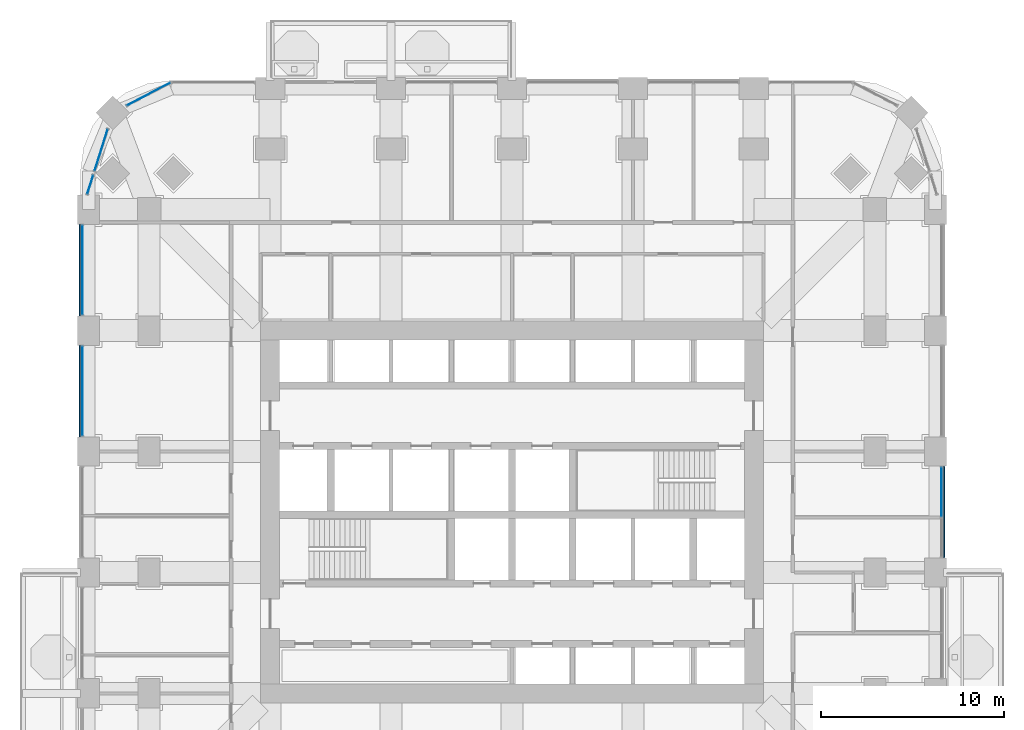
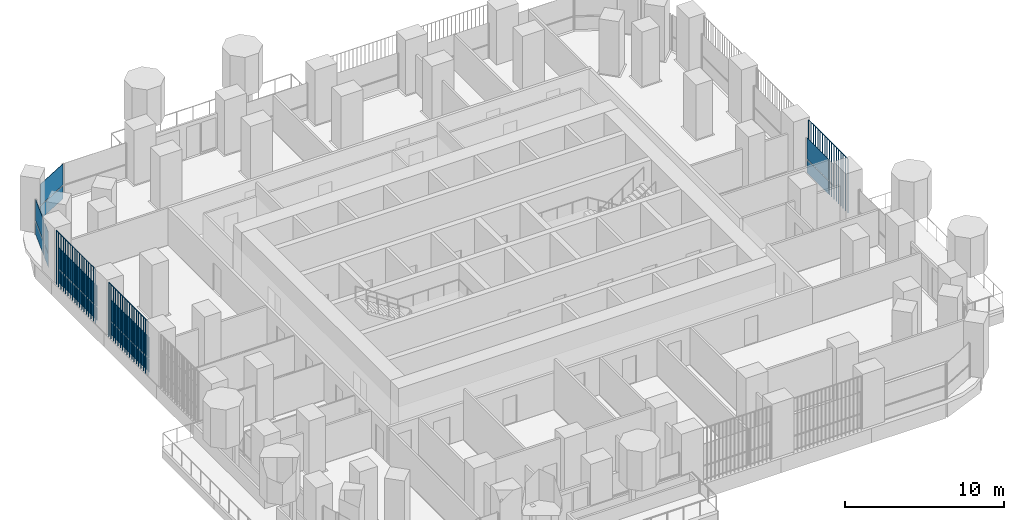
# One storey, part 10 of 21: 15 plates, 6 elements without a shape of their own.
"""IFC4 building model written with IfcOpenShell, lengths in metres."""

from ifc_helpers import new_model, si_unit, direction, frame, origin, origin_2d, place, context, subcontext, project, spatial, polyline, rectangle, outline, extrude, material, layer, layer_set, type_object, element, aggregate, save


model = new_model("IFC4")

# Units and contexts
model_context = context("Model", 3, precision=1e-05, world=origin(), true_north=direction((0.0, 1.0)))
body_context = subcontext(model_context, "Body", "Model", "MODEL_VIEW")
ifc_project = project(units=[si_unit("LENGTHUNIT", "METRE"), si_unit("AREAUNIT", "SQUARE_METRE"), si_unit("VOLUMEUNIT", "CUBIC_METRE"), si_unit("PLANEANGLEUNIT", "RADIAN"), si_unit("MASSUNIT", "GRAM", prefix="KILO")], contexts=[model_context])

# Site, building, storey
site_placement = place(None, origin())
site = spatial("IfcSite", under=ifc_project, at=site_placement, CompositionType="ELEMENT")
building_placement = place(site_placement, origin())
building = spatial("IfcBuilding", under=site, at=building_placement, Name="Cobogo Forest Laboratory Tower", CompositionType="ELEMENT")
storey_placement = place(building_placement, frame((0.0, 0.0, 99.0)))
storey = spatial("IfcBuildingStorey", under=building, at=storey_placement, Name="L22", CompositionType="ELEMENT", Elevation=99.0)

# Curtain wall, plates
ifc_material_1 = material(Name="Aluminium curtain wall", Category="aluminium")
curtain_wall_type = type_object("IfcCurtainWallType", Name="CW-1 unitised curtain wall, clear glazing, laboratory floors zones A and B", PredefinedType="USERDEFINED", material=ifc_material_1)
curtain_wall_1_placement = place(storey_placement, origin())
curtain_wall_1 = element("IfcCurtainWall", 1, at=curtain_wall_1_placement, inside=storey, type_object=curtain_wall_type, Name="Curtain wall 12 L22", ObjectType="UNITISED CURTAIN WALL", PredefinedType="USERDEFINED")
ifc_material_2 = material(Name="Clear insulated glass", Category="glass")
ifc_layer = layer(ifc_material_2, 0.028076171875)
ifc_layer_set = layer_set([ifc_layer], Name="GP-1 clear insulated glass unit 28")
plate_type_1 = type_object("IfcPlateType", Name="GP-1 clear insulated glass unit 28", PredefinedType="CURTAIN_PANEL", material=ifc_layer_set)
plate_1_placement = place(storey_placement, frame((49.85009765625, 24.18505859375, 0.0), z_axis=(0.0, 0.0, 1.0), x_axis=(0.0, 1.0, 0.0)))
plate_1 = element("IfcPlate", 2, at=plate_1_placement, type_object=plate_type_1, Name="CW-1 panel 2.1", PredefinedType="CURTAIN_PANEL", context=body_context, shape_type="SweptSolid", body=[
    extrude(rectangle(XDim=2.7099609375, YDim=0.028076171875, at=origin_2d()), origin(), (0.0, 0.0, 1.0), 1.02001953125),
])
plate_2_placement = place(storey_placement, frame((49.85009765625, 24.18505859375, 1.079833984375), z_axis=(0.0, 0.0, 1.0), x_axis=(0.0, 1.0, 0.0)))
plate_2 = element("IfcPlate", 3, at=plate_2_placement, type_object=plate_type_1, Name="CW-1 panel 2.2", PredefinedType="CURTAIN_PANEL", context=body_context, shape_type="SweptSolid", body=[
    extrude(rectangle(XDim=2.7099609375, YDim=0.028076171875, at=origin_2d()), origin(), (0.0, 0.0, 1.0), 1.6201171875),
])
aggregate(curtain_wall_1, [plate_1, plate_2])

curtain_wall_2_placement = place(storey_placement, origin())
curtain_wall_2 = element("IfcCurtainWall", 4, at=curtain_wall_2_placement, inside=storey, type_object=curtain_wall_type, Name="Curtain wall 24 L22", ObjectType="UNITISED CURTAIN WALL", PredefinedType="USERDEFINED")
plate_3_placement = place(storey_placement, frame((6.57080078125, 45.90576171875, 0.0), z_axis=(0.0, 0.0, 1.0), x_axis=(-0.885686547075, -0.464283685186, 0.0)))
plate_3 = element("IfcPlate", 5, at=plate_3_placement, type_object=plate_type_1, Name="CW-1 panel 1.1", PredefinedType="CURTAIN_PANEL", context=body_context, shape_type="SweptSolid", body=[
    extrude(rectangle(XDim=2.655517578125, YDim=0.028076171875, at=origin_2d()), origin(), (0.0, 0.0, 1.0), 1.02001953125),
])
plate_4_placement = place(storey_placement, frame((6.57080078125, 45.90576171875, 1.079833984375), z_axis=(0.0, 0.0, 1.0), x_axis=(-0.885686547075, -0.464283685186, 0.0)))
plate_4 = element("IfcPlate", 6, at=plate_4_placement, type_object=plate_type_1, Name="CW-1 panel 1.2", PredefinedType="CURTAIN_PANEL", context=body_context, shape_type="SweptSolid", body=[
    extrude(rectangle(XDim=2.655517578125, YDim=0.028076171875, at=origin_2d()), origin(), (0.0, 0.0, 1.0), 1.6201171875),
])
aggregate(curtain_wall_2, [plate_3, plate_4])

curtain_wall_3_placement = place(storey_placement, origin())
curtain_wall_3 = element("IfcCurtainWall", 7, at=curtain_wall_3_placement, inside=storey, type_object=curtain_wall_type, Name="Curtain wall 25 L22", ObjectType="UNITISED CURTAIN WALL", PredefinedType="USERDEFINED")
plate_5_placement = place(storey_placement, frame((3.978759765625, 42.857421875, 0.0), z_axis=(0.0, 0.0, 1.0), x_axis=(-0.301135291996, -0.953581425949, 0.0)))
plate_5 = element("IfcPlate", 8, at=plate_5_placement, type_object=plate_type_1, Name="CW-1 panel 1.1", PredefinedType="CURTAIN_PANEL", context=body_context, shape_type="SweptSolid", body=[
    extrude(rectangle(XDim=2.3681640625, YDim=0.028076171875, at=origin_2d()), origin(), (0.0, 0.0, 1.0), 1.02001953125),
])
plate_6_placement = place(storey_placement, frame((3.978759765625, 42.857421875, 1.079833984375), z_axis=(0.0, 0.0, 1.0), x_axis=(-0.301135291996, -0.953581425949, 0.0)))
plate_6 = element("IfcPlate", 9, at=plate_6_placement, type_object=plate_type_1, Name="CW-1 panel 1.2", PredefinedType="CURTAIN_PANEL", context=body_context, shape_type="SweptSolid", body=[
    extrude(rectangle(XDim=2.3681640625, YDim=0.028076171875, at=origin_2d()), origin(), (0.0, 0.0, 1.0), 1.6201171875),
])
aggregate(curtain_wall_3, [plate_5, plate_6])

curtain_wall_4_placement = place(storey_placement, origin())
curtain_wall_4 = element("IfcCurtainWall", 10, at=curtain_wall_4_placement, inside=storey, type_object=curtain_wall_type, Name="Curtain wall 26 L22", ObjectType="UNITISED CURTAIN WALL", PredefinedType="USERDEFINED")
plate_7_placement = place(storey_placement, frame((3.3818359375, 40.9677734375, 0.0), z_axis=(0.0, 0.0, 1.0), x_axis=(-0.301135667865, -0.953581307252, 0.0)))
plate_7 = element("IfcPlate", 11, at=plate_7_placement, type_object=plate_type_1, Name="CW-1 panel 1.1", PredefinedType="CURTAIN_PANEL", context=body_context, shape_type="SweptSolid", body=[
    extrude(rectangle(XDim=1.071044921875, YDim=0.028076171875, at=origin_2d()), origin(), (0.0, 0.0, 1.0), 1.02001953125),
])
plate_8_placement = place(storey_placement, frame((3.3818359375, 40.9677734375, 1.079833984375), z_axis=(0.0, 0.0, 1.0), x_axis=(-0.301135667865, -0.953581307252, 0.0)))
plate_8 = element("IfcPlate", 12, at=plate_8_placement, type_object=plate_type_1, Name="CW-1 panel 1.2", PredefinedType="CURTAIN_PANEL", context=body_context, shape_type="SweptSolid", body=[
    extrude(rectangle(XDim=1.071044921875, YDim=0.028076171875, at=origin_2d()), origin(), (0.0, 0.0, 1.0), 1.6201171875),
])
aggregate(curtain_wall_4, [plate_7, plate_8])

curtain_wall_5_placement = place(storey_placement, origin())
curtain_wall_5 = element("IfcCurtainWall", 13, at=curtain_wall_5_placement, inside=storey, type_object=curtain_wall_type, Name="Curtain wall 27 L22", ObjectType="UNITISED CURTAIN WALL", PredefinedType="USERDEFINED")
plate_9_placement = place(storey_placement, frame((2.949951171875, 36.300048828125, 0.0), z_axis=(0.0, 0.0, 1.0), x_axis=(0.0, -1.0, 0.0)))
plate_9 = element("IfcPlate", 14, at=plate_9_placement, type_object=plate_type_1, Name="CW-1 panel 1.1", PredefinedType="CURTAIN_PANEL", context=body_context, shape_type="SweptSolid", body=[
    extrude(rectangle(XDim=4.8798828125, YDim=0.028076171875, at=origin_2d()), origin(), (0.0, 0.0, 1.0), 1.02001953125),
])
plate_10_placement = place(storey_placement, frame((2.949951171875, 36.300048828125, 1.079833984375), z_axis=(0.0, 0.0, 1.0), x_axis=(0.0, -1.0, 0.0)))
plate_10 = element("IfcPlate", 15, at=plate_10_placement, type_object=plate_type_1, Name="CW-1 panel 1.2", PredefinedType="CURTAIN_PANEL", context=body_context, shape_type="SweptSolid", body=[
    extrude(rectangle(XDim=4.8798828125, YDim=0.028076171875, at=origin_2d()), origin(), (0.0, 0.0, 1.0), 1.6201171875),
])
aggregate(curtain_wall_5, [plate_9, plate_10])

curtain_wall_6_placement = place(storey_placement, origin())
curtain_wall_6 = element("IfcCurtainWall", 16, at=curtain_wall_6_placement, inside=storey, type_object=curtain_wall_type, Name="Curtain wall 28 L22", ObjectType="UNITISED CURTAIN WALL", PredefinedType="USERDEFINED")
plate_11_placement = place(storey_placement, frame((2.949951171875, 29.699951171875, 0.0), z_axis=(0.0, 0.0, 1.0), x_axis=(0.0, -1.0, 0.0)))
plate_11 = element("IfcPlate", 17, at=plate_11_placement, type_object=plate_type_1, Name="CW-1 panel 1.1", PredefinedType="CURTAIN_PANEL", context=body_context, shape_type="SweptSolid", body=[
    extrude(rectangle(XDim=4.8798828125, YDim=0.028076171875, at=origin_2d()), origin(), (0.0, 0.0, 1.0), 1.02001953125),
])
plate_12_placement = place(storey_placement, frame((2.949951171875, 29.699951171875, 1.079833984375), z_axis=(0.0, 0.0, 1.0), x_axis=(0.0, -1.0, 0.0)))
plate_12 = element("IfcPlate", 18, at=plate_12_placement, type_object=plate_type_1, Name="CW-1 panel 1.2", PredefinedType="CURTAIN_PANEL", context=body_context, shape_type="SweptSolid", body=[
    extrude(rectangle(XDim=4.8798828125, YDim=0.028076171875, at=origin_2d()), origin(), (0.0, 0.0, 1.0), 1.6201171875),
])
aggregate(curtain_wall_6, [plate_11, plate_12])

# Plates
ifc_material_3 = material(Name="Terracotta", Category="masonry")
plate_type_2 = type_object("IfcPlateType", Name="TB1 terracotta baguette screen", PredefinedType="USERDEFINED", material=ifc_material_3)
plate_13_placement = place(storey_placement, frame((49.977783203125, 20.63134765625, -0.14990234375)))
element("IfcPlate", 19, at=plate_13_placement, inside=storey, type_object=plate_type_2, Name="Baguette screen E3 L22", ObjectType="BAGUETTE SCREEN", PredefinedType="USERDEFINED", context=body_context, shape_type="SweptSolid", body=[
    extrude(outline(polyline([(0.02880859375, 0.011962890625), (0.011962890625, 0.02880859375), (-0.011962890625, 0.02880859375), (-0.02880859375, 0.011962890625), (-0.02880859375, -0.011962890625), (-0.011962890625, -0.02880859375), (0.011962890625, -0.02880859375), (0.02880859375, -0.011962890625), (0.02880859375, 0.011962890625)])), frame((0.0, 0.0, 4.168701171875), z_axis=(0.0, 1.0, 0.0), x_axis=(-1.0, 0.0, 0.0)), (0.0, 0.0, 1.0), 4.9375),
    extrude(outline(polyline([(0.02880859375, 0.011962890625), (0.011962890625, 0.02880859375), (-0.011962890625, 0.02880859375), (-0.02880859375, 0.011962890625), (-0.02880859375, -0.011962890625), (-0.011962890625, -0.02880859375), (0.011962890625, -0.02880859375), (0.02880859375, -0.011962890625), (0.02880859375, 0.011962890625)])), origin(), (0.0, 0.0, 1.0), 4.137451171875),
    extrude(outline(polyline([(0.02880859375, 0.011962890625), (0.011962890625, 0.02880859375), (-0.011962890625, 0.02880859375), (-0.02880859375, 0.011962890625), (-0.02880859375, -0.011962890625), (-0.011962890625, -0.02880859375), (0.011962890625, -0.02880859375), (0.02880859375, -0.011962890625), (0.02880859375, 0.011962890625)])), frame((0.0, 0.29052734375, 0.0)), (0.0, 0.0, 1.0), 4.137451171875),
    extrude(outline(polyline([(0.02880859375, 0.011962890625), (0.011962890625, 0.02880859375), (-0.011962890625, 0.02880859375), (-0.02880859375, 0.011962890625), (-0.02880859375, -0.011962890625), (-0.011962890625, -0.02880859375), (0.011962890625, -0.02880859375), (0.02880859375, -0.011962890625), (0.02880859375, 0.011962890625)])), frame((0.0, 0.580810546875, 0.0)), (0.0, 0.0, 1.0), 4.137451171875),
    extrude(outline(polyline([(0.02880859375, 0.011962890625), (0.011962890625, 0.02880859375), (-0.011962890625, 0.02880859375), (-0.02880859375, 0.011962890625), (-0.02880859375, -0.011962890625), (-0.011962890625, -0.02880859375), (0.011962890625, -0.02880859375), (0.02880859375, -0.011962890625), (0.02880859375, 0.011962890625)])), frame((0.0, 0.871337890625, 0.0)), (0.0, 0.0, 1.0), 4.137451171875),
    extrude(outline(polyline([(0.02880859375, 0.011962890625), (0.011962890625, 0.02880859375), (-0.011962890625, 0.02880859375), (-0.02880859375, 0.011962890625), (-0.02880859375, -0.011962890625), (-0.011962890625, -0.02880859375), (0.011962890625, -0.02880859375), (0.02880859375, -0.011962890625), (0.02880859375, 0.011962890625)])), frame((0.0, 1.161865234375, 0.0)), (0.0, 0.0, 1.0), 4.137451171875),
    extrude(outline(polyline([(0.02880859375, 0.011962890625), (0.011962890625, 0.02880859375), (-0.011962890625, 0.02880859375), (-0.02880859375, 0.011962890625), (-0.02880859375, -0.011962890625), (-0.011962890625, -0.02880859375), (0.011962890625, -0.02880859375), (0.02880859375, -0.011962890625), (0.02880859375, 0.011962890625)])), frame((0.0, 1.4521484375, 0.0)), (0.0, 0.0, 1.0), 4.137451171875),
    extrude(outline(polyline([(0.02880859375, 0.011962890625), (0.011962890625, 0.02880859375), (-0.011962890625, 0.02880859375), (-0.02880859375, 0.011962890625), (-0.02880859375, -0.011962890625), (-0.011962890625, -0.02880859375), (0.011962890625, -0.02880859375), (0.02880859375, -0.011962890625), (0.02880859375, 0.011962890625)])), frame((0.0, 1.74267578125, 0.0)), (0.0, 0.0, 1.0), 4.137451171875),
    extrude(outline(polyline([(0.02880859375, 0.011962890625), (0.011962890625, 0.02880859375), (-0.011962890625, 0.02880859375), (-0.02880859375, 0.011962890625), (-0.02880859375, -0.011962890625), (-0.011962890625, -0.02880859375), (0.011962890625, -0.02880859375), (0.02880859375, -0.011962890625), (0.02880859375, 0.011962890625)])), frame((0.0, 2.033203125, 0.0)), (0.0, 0.0, 1.0), 4.137451171875),
    extrude(outline(polyline([(0.02880859375, 0.011962890625), (0.011962890625, 0.02880859375), (-0.011962890625, 0.02880859375), (-0.02880859375, 0.011962890625), (-0.02880859375, -0.011962890625), (-0.011962890625, -0.02880859375), (0.011962890625, -0.02880859375), (0.02880859375, -0.011962890625), (0.02880859375, 0.011962890625)])), frame((0.0, 2.323486328125, 0.0)), (0.0, 0.0, 1.0), 4.137451171875),
    extrude(outline(polyline([(0.02880859375, 0.011962890625), (0.011962890625, 0.02880859375), (-0.011962890625, 0.02880859375), (-0.02880859375, 0.011962890625), (-0.02880859375, -0.011962890625), (-0.011962890625, -0.02880859375), (0.011962890625, -0.02880859375), (0.02880859375, -0.011962890625), (0.02880859375, 0.011962890625)])), frame((0.0, 2.614013671875, 0.0)), (0.0, 0.0, 1.0), 4.137451171875),
    extrude(outline(polyline([(0.02880859375, 0.011962890625), (0.011962890625, 0.02880859375), (-0.011962890625, 0.02880859375), (-0.02880859375, 0.011962890625), (-0.02880859375, -0.011962890625), (-0.011962890625, -0.02880859375), (0.011962890625, -0.02880859375), (0.02880859375, -0.011962890625), (0.02880859375, 0.011962890625)])), frame((0.0, 2.904296875, 0.0)), (0.0, 0.0, 1.0), 4.137451171875),
    extrude(outline(polyline([(0.02880859375, 0.011962890625), (0.011962890625, 0.02880859375), (-0.011962890625, 0.02880859375), (-0.02880859375, 0.011962890625), (-0.02880859375, -0.011962890625), (-0.011962890625, -0.02880859375), (0.011962890625, -0.02880859375), (0.02880859375, -0.011962890625), (0.02880859375, 0.011962890625)])), frame((0.0, 3.19482421875, 0.0)), (0.0, 0.0, 1.0), 4.137451171875),
    extrude(outline(polyline([(0.02880859375, 0.011962890625), (0.011962890625, 0.02880859375), (-0.011962890625, 0.02880859375), (-0.02880859375, 0.011962890625), (-0.02880859375, -0.011962890625), (-0.011962890625, -0.02880859375), (0.011962890625, -0.02880859375), (0.02880859375, -0.011962890625), (0.02880859375, 0.011962890625)])), frame((0.0, 3.4853515625, 0.0)), (0.0, 0.0, 1.0), 4.137451171875),
    extrude(outline(polyline([(0.02880859375, 0.011962890625), (0.011962890625, 0.02880859375), (-0.011962890625, 0.02880859375), (-0.02880859375, 0.011962890625), (-0.02880859375, -0.011962890625), (-0.011962890625, -0.02880859375), (0.011962890625, -0.02880859375), (0.02880859375, -0.011962890625), (0.02880859375, 0.011962890625)])), frame((0.0, 3.775634765625, 0.0)), (0.0, 0.0, 1.0), 4.137451171875),
    extrude(outline(polyline([(0.02880859375, 0.011962890625), (0.011962890625, 0.02880859375), (-0.011962890625, 0.02880859375), (-0.02880859375, 0.011962890625), (-0.02880859375, -0.011962890625), (-0.011962890625, -0.02880859375), (0.011962890625, -0.02880859375), (0.02880859375, -0.011962890625), (0.02880859375, 0.011962890625)])), frame((0.0, 4.066162109375, 0.0)), (0.0, 0.0, 1.0), 4.137451171875),
    extrude(outline(polyline([(0.02880859375, 0.011962890625), (0.011962890625, 0.02880859375), (-0.011962890625, 0.02880859375), (-0.02880859375, 0.011962890625), (-0.02880859375, -0.011962890625), (-0.011962890625, -0.02880859375), (0.011962890625, -0.02880859375), (0.02880859375, -0.011962890625), (0.02880859375, 0.011962890625)])), frame((0.0, 4.356689453125, 0.0)), (0.0, 0.0, 1.0), 4.137451171875),
    extrude(outline(polyline([(0.02880859375, 0.011962890625), (0.011962890625, 0.02880859375), (-0.011962890625, 0.02880859375), (-0.02880859375, 0.011962890625), (-0.02880859375, -0.011962890625), (-0.011962890625, -0.02880859375), (0.011962890625, -0.02880859375), (0.02880859375, -0.011962890625), (0.02880859375, 0.011962890625)])), frame((0.0, 4.64697265625, 0.0)), (0.0, 0.0, 1.0), 4.137451171875),
    extrude(outline(polyline([(0.02880859375, 0.011962890625), (0.011962890625, 0.02880859375), (-0.011962890625, 0.02880859375), (-0.02880859375, 0.011962890625), (-0.02880859375, -0.011962890625), (-0.011962890625, -0.02880859375), (0.011962890625, -0.02880859375), (0.02880859375, -0.011962890625), (0.02880859375, 0.011962890625)])), frame((0.0, 4.9375, 0.0)), (0.0, 0.0, 1.0), 4.137451171875),
])
plate_14_placement = place(storey_placement, frame((2.822021484375, 27.231201171875, -0.14990234375)))
element("IfcPlate", 20, at=plate_14_placement, inside=storey, type_object=plate_type_2, Name="Baguette screen W4 L22", ObjectType="BAGUETTE SCREEN", PredefinedType="USERDEFINED", context=body_context, shape_type="SweptSolid", body=[
    extrude(outline(polyline([(0.02880859375, 0.011962890625), (0.011962890625, 0.02880859375), (-0.011962890625, 0.02880859375), (-0.02880859375, 0.011962890625), (-0.02880859375, -0.011962890625), (-0.011962890625, -0.02880859375), (0.011962890625, -0.02880859375), (0.02880859375, -0.011962890625), (0.02880859375, 0.011962890625)])), frame((0.0, 0.0, 4.168701171875), z_axis=(0.0, 1.0, 0.0), x_axis=(-1.0, 0.0, 0.0)), (0.0, 0.0, 1.0), 4.9375),
    extrude(outline(polyline([(0.02880859375, 0.011962890625), (0.011962890625, 0.02880859375), (-0.011962890625, 0.02880859375), (-0.02880859375, 0.011962890625), (-0.02880859375, -0.011962890625), (-0.011962890625, -0.02880859375), (0.011962890625, -0.02880859375), (0.02880859375, -0.011962890625), (0.02880859375, 0.011962890625)])), origin(), (0.0, 0.0, 1.0), 4.137451171875),
    extrude(outline(polyline([(0.02880859375, 0.011962890625), (0.011962890625, 0.02880859375), (-0.011962890625, 0.02880859375), (-0.02880859375, 0.011962890625), (-0.02880859375, -0.011962890625), (-0.011962890625, -0.02880859375), (0.011962890625, -0.02880859375), (0.02880859375, -0.011962890625), (0.02880859375, 0.011962890625)])), frame((0.0, 0.29052734375, 0.0)), (0.0, 0.0, 1.0), 4.137451171875),
    extrude(outline(polyline([(0.02880859375, 0.011962890625), (0.011962890625, 0.02880859375), (-0.011962890625, 0.02880859375), (-0.02880859375, 0.011962890625), (-0.02880859375, -0.011962890625), (-0.011962890625, -0.02880859375), (0.011962890625, -0.02880859375), (0.02880859375, -0.011962890625), (0.02880859375, 0.011962890625)])), frame((0.0, 0.580810546875, 0.0)), (0.0, 0.0, 1.0), 4.137451171875),
    extrude(outline(polyline([(0.02880859375, 0.011962890625), (0.011962890625, 0.02880859375), (-0.011962890625, 0.02880859375), (-0.02880859375, 0.011962890625), (-0.02880859375, -0.011962890625), (-0.011962890625, -0.02880859375), (0.011962890625, -0.02880859375), (0.02880859375, -0.011962890625), (0.02880859375, 0.011962890625)])), frame((0.0, 0.871337890625, 0.0)), (0.0, 0.0, 1.0), 4.137451171875),
    extrude(outline(polyline([(0.02880859375, 0.011962890625), (0.011962890625, 0.02880859375), (-0.011962890625, 0.02880859375), (-0.02880859375, 0.011962890625), (-0.02880859375, -0.011962890625), (-0.011962890625, -0.02880859375), (0.011962890625, -0.02880859375), (0.02880859375, -0.011962890625), (0.02880859375, 0.011962890625)])), frame((0.0, 1.161865234375, 0.0)), (0.0, 0.0, 1.0), 4.137451171875),
    extrude(outline(polyline([(0.02880859375, 0.011962890625), (0.011962890625, 0.02880859375), (-0.011962890625, 0.02880859375), (-0.02880859375, 0.011962890625), (-0.02880859375, -0.011962890625), (-0.011962890625, -0.02880859375), (0.011962890625, -0.02880859375), (0.02880859375, -0.011962890625), (0.02880859375, 0.011962890625)])), frame((0.0, 1.4521484375, 0.0)), (0.0, 0.0, 1.0), 4.137451171875),
    extrude(outline(polyline([(0.02880859375, 0.011962890625), (0.011962890625, 0.02880859375), (-0.011962890625, 0.02880859375), (-0.02880859375, 0.011962890625), (-0.02880859375, -0.011962890625), (-0.011962890625, -0.02880859375), (0.011962890625, -0.02880859375), (0.02880859375, -0.011962890625), (0.02880859375, 0.011962890625)])), frame((0.0, 1.74267578125, 0.0)), (0.0, 0.0, 1.0), 4.137451171875),
    extrude(outline(polyline([(0.02880859375, 0.011962890625), (0.011962890625, 0.02880859375), (-0.011962890625, 0.02880859375), (-0.02880859375, 0.011962890625), (-0.02880859375, -0.011962890625), (-0.011962890625, -0.02880859375), (0.011962890625, -0.02880859375), (0.02880859375, -0.011962890625), (0.02880859375, 0.011962890625)])), frame((0.0, 2.033203125, 0.0)), (0.0, 0.0, 1.0), 4.137451171875),
    extrude(outline(polyline([(0.02880859375, 0.011962890625), (0.011962890625, 0.02880859375), (-0.011962890625, 0.02880859375), (-0.02880859375, 0.011962890625), (-0.02880859375, -0.011962890625), (-0.011962890625, -0.02880859375), (0.011962890625, -0.02880859375), (0.02880859375, -0.011962890625), (0.02880859375, 0.011962890625)])), frame((0.0, 2.323486328125, 0.0)), (0.0, 0.0, 1.0), 4.137451171875),
    extrude(outline(polyline([(0.02880859375, 0.011962890625), (0.011962890625, 0.02880859375), (-0.011962890625, 0.02880859375), (-0.02880859375, 0.011962890625), (-0.02880859375, -0.011962890625), (-0.011962890625, -0.02880859375), (0.011962890625, -0.02880859375), (0.02880859375, -0.011962890625), (0.02880859375, 0.011962890625)])), frame((0.0, 2.614013671875, 0.0)), (0.0, 0.0, 1.0), 4.137451171875),
    extrude(outline(polyline([(0.02880859375, 0.011962890625), (0.011962890625, 0.02880859375), (-0.011962890625, 0.02880859375), (-0.02880859375, 0.011962890625), (-0.02880859375, -0.011962890625), (-0.011962890625, -0.02880859375), (0.011962890625, -0.02880859375), (0.02880859375, -0.011962890625), (0.02880859375, 0.011962890625)])), frame((0.0, 2.904296875, 0.0)), (0.0, 0.0, 1.0), 4.137451171875),
    extrude(outline(polyline([(0.02880859375, 0.011962890625), (0.011962890625, 0.02880859375), (-0.011962890625, 0.02880859375), (-0.02880859375, 0.011962890625), (-0.02880859375, -0.011962890625), (-0.011962890625, -0.02880859375), (0.011962890625, -0.02880859375), (0.02880859375, -0.011962890625), (0.02880859375, 0.011962890625)])), frame((0.0, 3.19482421875, 0.0)), (0.0, 0.0, 1.0), 4.137451171875),
    extrude(outline(polyline([(0.02880859375, 0.011962890625), (0.011962890625, 0.02880859375), (-0.011962890625, 0.02880859375), (-0.02880859375, 0.011962890625), (-0.02880859375, -0.011962890625), (-0.011962890625, -0.02880859375), (0.011962890625, -0.02880859375), (0.02880859375, -0.011962890625), (0.02880859375, 0.011962890625)])), frame((0.0, 3.4853515625, 0.0)), (0.0, 0.0, 1.0), 4.137451171875),
    extrude(outline(polyline([(0.02880859375, 0.011962890625), (0.011962890625, 0.02880859375), (-0.011962890625, 0.02880859375), (-0.02880859375, 0.011962890625), (-0.02880859375, -0.011962890625), (-0.011962890625, -0.02880859375), (0.011962890625, -0.02880859375), (0.02880859375, -0.011962890625), (0.02880859375, 0.011962890625)])), frame((0.0, 3.775634765625, 0.0)), (0.0, 0.0, 1.0), 4.137451171875),
    extrude(outline(polyline([(0.02880859375, 0.011962890625), (0.011962890625, 0.02880859375), (-0.011962890625, 0.02880859375), (-0.02880859375, 0.011962890625), (-0.02880859375, -0.011962890625), (-0.011962890625, -0.02880859375), (0.011962890625, -0.02880859375), (0.02880859375, -0.011962890625), (0.02880859375, 0.011962890625)])), frame((0.0, 4.066162109375, 0.0)), (0.0, 0.0, 1.0), 4.137451171875),
    extrude(outline(polyline([(0.02880859375, 0.011962890625), (0.011962890625, 0.02880859375), (-0.011962890625, 0.02880859375), (-0.02880859375, 0.011962890625), (-0.02880859375, -0.011962890625), (-0.011962890625, -0.02880859375), (0.011962890625, -0.02880859375), (0.02880859375, -0.011962890625), (0.02880859375, 0.011962890625)])), frame((0.0, 4.356689453125, 0.0)), (0.0, 0.0, 1.0), 4.137451171875),
    extrude(outline(polyline([(0.02880859375, 0.011962890625), (0.011962890625, 0.02880859375), (-0.011962890625, 0.02880859375), (-0.02880859375, 0.011962890625), (-0.02880859375, -0.011962890625), (-0.011962890625, -0.02880859375), (0.011962890625, -0.02880859375), (0.02880859375, -0.011962890625), (0.02880859375, 0.011962890625)])), frame((0.0, 4.64697265625, 0.0)), (0.0, 0.0, 1.0), 4.137451171875),
    extrude(outline(polyline([(0.02880859375, 0.011962890625), (0.011962890625, 0.02880859375), (-0.011962890625, 0.02880859375), (-0.02880859375, 0.011962890625), (-0.02880859375, -0.011962890625), (-0.011962890625, -0.02880859375), (0.011962890625, -0.02880859375), (0.02880859375, -0.011962890625), (0.02880859375, 0.011962890625)])), frame((0.0, 4.9375, 0.0)), (0.0, 0.0, 1.0), 4.137451171875),
])
plate_15_placement = place(storey_placement, frame((2.822021484375, 33.831298828125, -0.14990234375)))
element("IfcPlate", 21, at=plate_15_placement, inside=storey, type_object=plate_type_2, Name="Baguette screen W5 L22", ObjectType="BAGUETTE SCREEN", PredefinedType="USERDEFINED", context=body_context, shape_type="SweptSolid", body=[
    extrude(outline(polyline([(0.02880859375, 0.011962890625), (0.011962890625, 0.02880859375), (-0.011962890625, 0.02880859375), (-0.02880859375, 0.011962890625), (-0.02880859375, -0.011962890625), (-0.011962890625, -0.02880859375), (0.011962890625, -0.02880859375), (0.02880859375, -0.011962890625), (0.02880859375, 0.011962890625)])), frame((0.0, 0.0, 4.168701171875), z_axis=(0.0, 1.0, 0.0), x_axis=(-1.0, 0.0, 0.0)), (0.0, 0.0, 1.0), 4.9375),
    extrude(outline(polyline([(0.02880859375, 0.011962890625), (0.011962890625, 0.02880859375), (-0.011962890625, 0.02880859375), (-0.02880859375, 0.011962890625), (-0.02880859375, -0.011962890625), (-0.011962890625, -0.02880859375), (0.011962890625, -0.02880859375), (0.02880859375, -0.011962890625), (0.02880859375, 0.011962890625)])), origin(), (0.0, 0.0, 1.0), 4.137451171875),
    extrude(outline(polyline([(0.02880859375, 0.011962890625), (0.011962890625, 0.02880859375), (-0.011962890625, 0.02880859375), (-0.02880859375, 0.011962890625), (-0.02880859375, -0.011962890625), (-0.011962890625, -0.02880859375), (0.011962890625, -0.02880859375), (0.02880859375, -0.011962890625), (0.02880859375, 0.011962890625)])), frame((0.0, 0.29052734375, 0.0)), (0.0, 0.0, 1.0), 4.137451171875),
    extrude(outline(polyline([(0.02880859375, 0.011962890625), (0.011962890625, 0.02880859375), (-0.011962890625, 0.02880859375), (-0.02880859375, 0.011962890625), (-0.02880859375, -0.011962890625), (-0.011962890625, -0.02880859375), (0.011962890625, -0.02880859375), (0.02880859375, -0.011962890625), (0.02880859375, 0.011962890625)])), frame((0.0, 0.580810546875, 0.0)), (0.0, 0.0, 1.0), 4.137451171875),
    extrude(outline(polyline([(0.02880859375, 0.011962890625), (0.011962890625, 0.02880859375), (-0.011962890625, 0.02880859375), (-0.02880859375, 0.011962890625), (-0.02880859375, -0.011962890625), (-0.011962890625, -0.02880859375), (0.011962890625, -0.02880859375), (0.02880859375, -0.011962890625), (0.02880859375, 0.011962890625)])), frame((0.0, 0.871337890625, 0.0)), (0.0, 0.0, 1.0), 4.137451171875),
    extrude(outline(polyline([(0.02880859375, 0.011962890625), (0.011962890625, 0.02880859375), (-0.011962890625, 0.02880859375), (-0.02880859375, 0.011962890625), (-0.02880859375, -0.011962890625), (-0.011962890625, -0.02880859375), (0.011962890625, -0.02880859375), (0.02880859375, -0.011962890625), (0.02880859375, 0.011962890625)])), frame((0.0, 1.161865234375, 0.0)), (0.0, 0.0, 1.0), 4.137451171875),
    extrude(outline(polyline([(0.02880859375, 0.011962890625), (0.011962890625, 0.02880859375), (-0.011962890625, 0.02880859375), (-0.02880859375, 0.011962890625), (-0.02880859375, -0.011962890625), (-0.011962890625, -0.02880859375), (0.011962890625, -0.02880859375), (0.02880859375, -0.011962890625), (0.02880859375, 0.011962890625)])), frame((0.0, 1.4521484375, 0.0)), (0.0, 0.0, 1.0), 4.137451171875),
    extrude(outline(polyline([(0.02880859375, 0.011962890625), (0.011962890625, 0.02880859375), (-0.011962890625, 0.02880859375), (-0.02880859375, 0.011962890625), (-0.02880859375, -0.011962890625), (-0.011962890625, -0.02880859375), (0.011962890625, -0.02880859375), (0.02880859375, -0.011962890625), (0.02880859375, 0.011962890625)])), frame((0.0, 1.74267578125, 0.0)), (0.0, 0.0, 1.0), 4.137451171875),
    extrude(outline(polyline([(0.02880859375, 0.011962890625), (0.011962890625, 0.02880859375), (-0.011962890625, 0.02880859375), (-0.02880859375, 0.011962890625), (-0.02880859375, -0.011962890625), (-0.011962890625, -0.02880859375), (0.011962890625, -0.02880859375), (0.02880859375, -0.011962890625), (0.02880859375, 0.011962890625)])), frame((0.0, 2.033203125, 0.0)), (0.0, 0.0, 1.0), 4.137451171875),
    extrude(outline(polyline([(0.02880859375, 0.011962890625), (0.011962890625, 0.02880859375), (-0.011962890625, 0.02880859375), (-0.02880859375, 0.011962890625), (-0.02880859375, -0.011962890625), (-0.011962890625, -0.02880859375), (0.011962890625, -0.02880859375), (0.02880859375, -0.011962890625), (0.02880859375, 0.011962890625)])), frame((0.0, 2.323486328125, 0.0)), (0.0, 0.0, 1.0), 4.137451171875),
    extrude(outline(polyline([(0.02880859375, 0.011962890625), (0.011962890625, 0.02880859375), (-0.011962890625, 0.02880859375), (-0.02880859375, 0.011962890625), (-0.02880859375, -0.011962890625), (-0.011962890625, -0.02880859375), (0.011962890625, -0.02880859375), (0.02880859375, -0.011962890625), (0.02880859375, 0.011962890625)])), frame((0.0, 2.614013671875, 0.0)), (0.0, 0.0, 1.0), 4.137451171875),
    extrude(outline(polyline([(0.02880859375, 0.011962890625), (0.011962890625, 0.02880859375), (-0.011962890625, 0.02880859375), (-0.02880859375, 0.011962890625), (-0.02880859375, -0.011962890625), (-0.011962890625, -0.02880859375), (0.011962890625, -0.02880859375), (0.02880859375, -0.011962890625), (0.02880859375, 0.011962890625)])), frame((0.0, 2.904296875, 0.0)), (0.0, 0.0, 1.0), 4.137451171875),
    extrude(outline(polyline([(0.02880859375, 0.011962890625), (0.011962890625, 0.02880859375), (-0.011962890625, 0.02880859375), (-0.02880859375, 0.011962890625), (-0.02880859375, -0.011962890625), (-0.011962890625, -0.02880859375), (0.011962890625, -0.02880859375), (0.02880859375, -0.011962890625), (0.02880859375, 0.011962890625)])), frame((0.0, 3.19482421875, 0.0)), (0.0, 0.0, 1.0), 4.137451171875),
    extrude(outline(polyline([(0.02880859375, 0.011962890625), (0.011962890625, 0.02880859375), (-0.011962890625, 0.02880859375), (-0.02880859375, 0.011962890625), (-0.02880859375, -0.011962890625), (-0.011962890625, -0.02880859375), (0.011962890625, -0.02880859375), (0.02880859375, -0.011962890625), (0.02880859375, 0.011962890625)])), frame((0.0, 3.4853515625, 0.0)), (0.0, 0.0, 1.0), 4.137451171875),
    extrude(outline(polyline([(0.02880859375, 0.011962890625), (0.011962890625, 0.02880859375), (-0.011962890625, 0.02880859375), (-0.02880859375, 0.011962890625), (-0.02880859375, -0.011962890625), (-0.011962890625, -0.02880859375), (0.011962890625, -0.02880859375), (0.02880859375, -0.011962890625), (0.02880859375, 0.011962890625)])), frame((0.0, 3.775634765625, 0.0)), (0.0, 0.0, 1.0), 4.137451171875),
    extrude(outline(polyline([(0.02880859375, 0.011962890625), (0.011962890625, 0.02880859375), (-0.011962890625, 0.02880859375), (-0.02880859375, 0.011962890625), (-0.02880859375, -0.011962890625), (-0.011962890625, -0.02880859375), (0.011962890625, -0.02880859375), (0.02880859375, -0.011962890625), (0.02880859375, 0.011962890625)])), frame((0.0, 4.066162109375, 0.0)), (0.0, 0.0, 1.0), 4.137451171875),
    extrude(outline(polyline([(0.02880859375, 0.011962890625), (0.011962890625, 0.02880859375), (-0.011962890625, 0.02880859375), (-0.02880859375, 0.011962890625), (-0.02880859375, -0.011962890625), (-0.011962890625, -0.02880859375), (0.011962890625, -0.02880859375), (0.02880859375, -0.011962890625), (0.02880859375, 0.011962890625)])), frame((0.0, 4.356689453125, 0.0)), (0.0, 0.0, 1.0), 4.137451171875),
    extrude(outline(polyline([(0.02880859375, 0.011962890625), (0.011962890625, 0.02880859375), (-0.011962890625, 0.02880859375), (-0.02880859375, 0.011962890625), (-0.02880859375, -0.011962890625), (-0.011962890625, -0.02880859375), (0.011962890625, -0.02880859375), (0.02880859375, -0.011962890625), (0.02880859375, 0.011962890625)])), frame((0.0, 4.64697265625, 0.0)), (0.0, 0.0, 1.0), 4.137451171875),
    extrude(outline(polyline([(0.02880859375, 0.011962890625), (0.011962890625, 0.02880859375), (-0.011962890625, 0.02880859375), (-0.02880859375, 0.011962890625), (-0.02880859375, -0.011962890625), (-0.011962890625, -0.02880859375), (0.011962890625, -0.02880859375), (0.02880859375, -0.011962890625), (0.02880859375, 0.011962890625)])), frame((0.0, 4.9375, 0.0)), (0.0, 0.0, 1.0), 4.137451171875),
])

save(model, "model.ifc")
